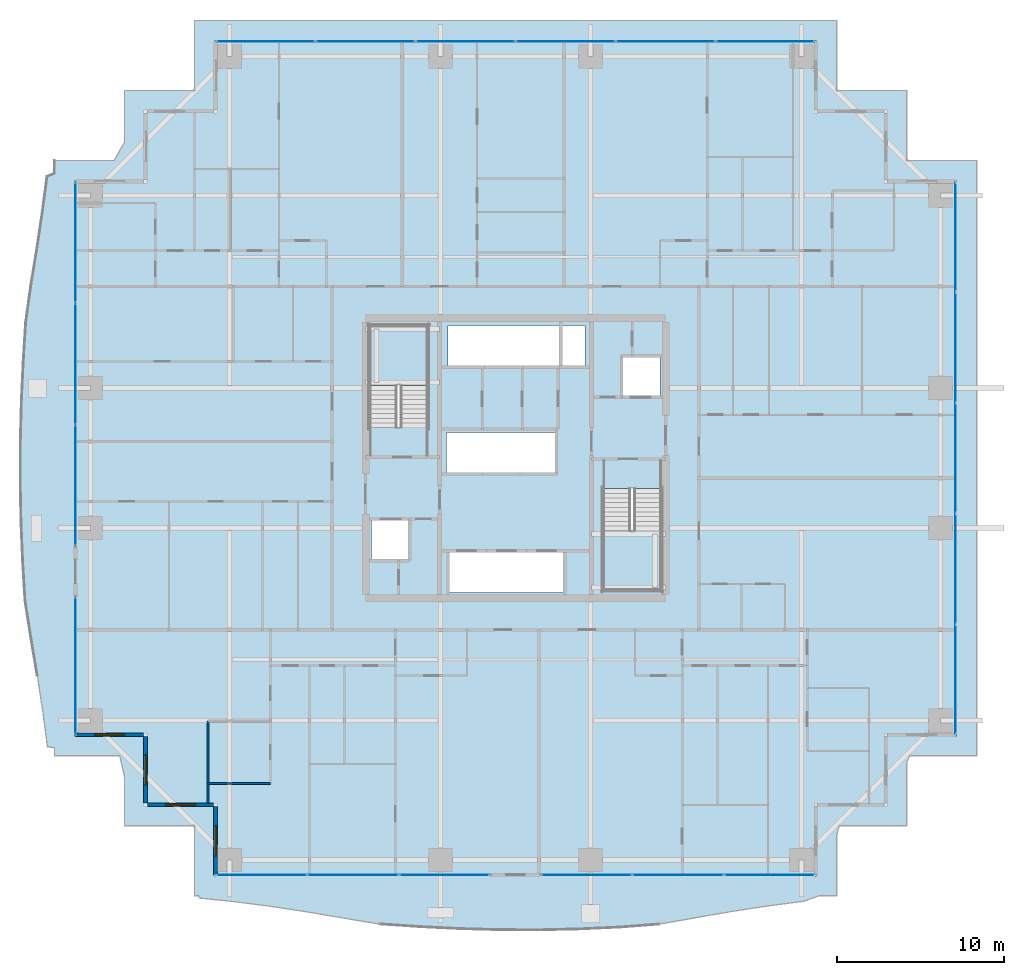
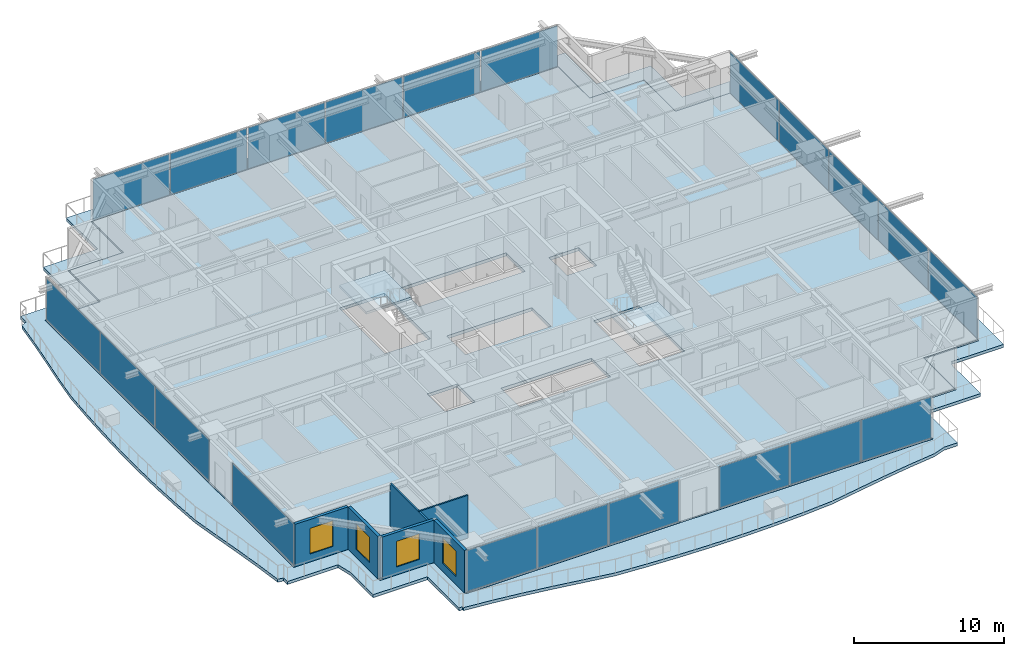
# One storey, part 25 of 39: 21 plates, 6 walls, 4 slabs, 4 windows, 4 openings, 8 elements without a shape of their own.
"""IFC4 building model written with IfcOpenShell, lengths in metres."""

from ifc_helpers import new_model, si_unit, direction, frame, frame_2d, origin, origin_2d, place, context, subcontext, project, spatial, polyline, rectangle, outline, extrude, source, transform, mapped, material, layer, layer_set, type_object, element, fill, aggregate, save


model = new_model("IFC4")

# Units and contexts
model_context = context("Model", 3, precision=1e-05, world=origin(), true_north=direction((0.0, 1.0)))
body_context = subcontext(model_context, "Body", "Model", "MODEL_VIEW")
ifc_project = project(units=[si_unit("LENGTHUNIT", "METRE"), si_unit("AREAUNIT", "SQUARE_METRE"), si_unit("VOLUMEUNIT", "CUBIC_METRE"), si_unit("PLANEANGLEUNIT", "RADIAN"), si_unit("MASSUNIT", "GRAM", prefix="KILO")], contexts=[model_context])

# Site, building, storey
site_placement = place(None, origin())
site = spatial("IfcSite", under=ifc_project, at=site_placement, CompositionType="ELEMENT")
building_placement = place(site_placement, origin())
building = spatial("IfcBuilding", under=site, at=building_placement, Name="Serunith Strait Residences", CompositionType="ELEMENT")
storey_placement = place(building_placement, frame((0.0, 0.0, 60.449951171875)))
storey = spatial("IfcBuildingStorey", under=building, at=storey_placement, Name="L14", CompositionType="ELEMENT", Elevation=60.449951171875)

# Slab
ifc_material_1 = material(Name="Concrete C50/60", Category="concrete")
ifc_layer_1 = layer(ifc_material_1, 0.239990234375, Name="Concrete C50/60")
ifc_layer_set_1 = layer_set([ifc_layer_1], Name="Concrete C50/60")
slab_type_1 = type_object("IfcSlabType", Name="SLB-BALC-240", PredefinedType="FLOOR", material=ifc_layer_set_1)
slab_1_placement = place(storey_placement, frame((0.0, 0.0, -0.2900390625)))
element("IfcSlab", 1, at=slab_1_placement, inside=storey, type_object=slab_type_1, Name="L14 Planted Vertical-Forest Balcony Slab", PredefinedType="FLOOR", context=body_context, shape_type="SweptSolid", body=[
    extrude(outline(polyline([(13.139892578125, 3.139892578125), (8.93994140625, 3.139892578125), (8.93994140625, 6.101806640625), (8.653564453125, 7.340087890625), (4.739990234375, 7.340087890625), (4.739990234375, 7.827392578125), (4.315673828125, 7.8955078125), (4.0361328125, 10.0244140625), (3.70751953125, 12.176025390625), (3.343017578125, 14.367919921875), (2.985107421875, 16.62060546875), (2.841796875, 18.976806640625), (2.7421875, 21.36181640625), (2.694580078125, 23.765380859375), (2.702392578125, 26.1748046875), (2.763671875, 28.5771484375), (2.872314453125, 30.960205078125), (3.017822265625, 33.3154296875), (3.332275390625, 35.586669921875), (3.692138671875, 37.786865234375), (4.017578125, 39.94677734375), (4.295654296875, 42.08203125), (4.739990234375, 42.28662109375), (4.739990234375, 43.06005859375), (8.321533203125, 43.06005859375), (8.93994140625, 44.1484375), (8.93994140625, 47.260009765625), (13.139892578125, 47.260009765625), (13.139892578125, 51.4599609375), (51.659912109375, 51.4599609375), (51.659912109375, 47.260009765625), (55.860107421875, 47.260009765625), (55.860107421875, 43.06005859375), (60.06005859375, 43.06005859375), (60.06005859375, 7.340087890625), (56.041259765625, 7.340087890625), (55.860107421875, 6.9423828125), (55.860107421875, 3.139892578125), (51.812744140625, 3.139892578125), (51.659912109375, 2.561279296875), (51.659912109375, -1.06005859375), (50.585693359375, -1.06005859375), (49.6953125, -1.381103515625), (47.572998046875, -1.654541015625), (45.430419921875, -1.984619140625), (43.25, -2.361083984375), (41.0107421875, -2.757080078125), (38.656494140625, -2.939697265625), (36.260986328125, -3.05078125), (33.843505859375, -3.104736328125), (31.4189453125, -3.096923828125), (29.003173828125, -3.029296875), (26.609375, -2.91015625), (24.24755859375, -2.751220703125), (21.994384765625, -2.376953125), (19.80419921875, -2.0048828125), (17.653564453125, -1.677001953125), (15.5244140625, -1.403564453125), (13.4033203125, -1.1845703125), (13.404052734375, -1.06005859375), (13.139892578125, -1.06005859375), (13.139892578125, 3.139892578125)]), holes=[polyline([(50.455078125, 0.14501953125), (50.455078125, 4.344970703125), (54.655029296875, 4.344970703125), (54.655029296875, 8.544921875), (58.85498046875, 8.544921875), (58.85498046875, 41.85498046875), (54.655029296875, 41.85498046875), (54.655029296875, 46.054931640625), (50.455078125, 46.054931640625), (50.455078125, 50.2548828125), (14.344970703125, 50.2548828125), (14.344970703125, 46.054931640625), (10.14501953125, 46.054931640625), (10.14501953125, 41.85498046875), (5.945068359375, 41.85498046875), (5.945068359375, 8.544921875), (10.14501953125, 8.544921875), (10.14501953125, 4.344970703125), (14.344970703125, 4.344970703125), (14.344970703125, 0.14501953125), (50.455078125, 0.14501953125)])]), origin(), (0.0, 0.0, 1.0), 0.239990234375),
])

# Stair, slab
stair_type_1 = type_object("IfcStairType", Name="STR-CORE-1", PredefinedType="HALF_TURN_STAIR", material=ifc_material_1)
stair_1_placement = place(storey_placement, origin())
stair_1 = element("IfcStair", 2, at=stair_1_placement, inside=storey, type_object=stair_type_1, Name="L14 Protected Escape Stair ST-1", PredefinedType="HALF_TURN_STAIR")
ifc_layer_2 = layer(ifc_material_1, 0.199951171875, Name="Concrete C50/60")
ifc_layer_set_2 = layer_set([ifc_layer_2], Name="Concrete C50/60")
slab_type_2 = type_object("IfcSlabType", Name="SLB-LAND-200", PredefinedType="LANDING", material=ifc_layer_set_2)
slab_2_placement = place(storey_placement, frame((0.0, 0.0, 1.675048828125)))
slab_2 = element("IfcSlab", 3, at=slab_2_placement, type_object=slab_type_2, Name="ST-1 landing 1", PredefinedType="LANDING", context=body_context, shape_type="SweptSolid", body=[
    extrude(outline(polyline([(27.14990234375, 29.550048828125), (27.14990234375, 33.14990234375), (23.64990234375, 33.14990234375), (23.64990234375, 29.550048828125), (27.14990234375, 29.550048828125)])), origin(), (0.0, 0.0, 1.0), 0.199951171875),
])
aggregate(stair_1, [slab_2])

stair_type_2 = type_object("IfcStairType", Name="STR-CORE-2", PredefinedType="HALF_TURN_STAIR", material=ifc_material_1)
stair_2_placement = place(storey_placement, origin())
stair_2 = element("IfcStair", 4, at=stair_2_placement, inside=storey, type_object=stair_type_2, Name="L14 Protected Escape Stair ST-2", PredefinedType="HALF_TURN_STAIR")
slab_3_placement = place(storey_placement, frame((0.0, 0.0, 1.675048828125)))
slab_3 = element("IfcSlab", 5, at=slab_3_placement, type_object=slab_type_2, Name="ST-2 landing 1", PredefinedType="LANDING", context=body_context, shape_type="SweptSolid", body=[
    extrude(outline(polyline([(37.64990234375, 20.85009765625), (37.64990234375, 17.25), (41.14990234375, 17.25), (41.14990234375, 20.85009765625), (37.64990234375, 20.85009765625)])), origin(), (0.0, 0.0, 1.0), 0.199951171875),
])
aggregate(stair_2, [slab_3])

# Slab
ifc_material_2 = material(Name="Concrete C60/75", Category="concrete")
ifc_layer_3 = layer(ifc_material_2, 0.260009765625, Name="Concrete C60/75")
ifc_layer_set_3 = layer_set([ifc_layer_3], Name="Concrete C60/75")
slab_type_3 = type_object("IfcSlabType", Name="SLB-TWR-260-Z1", PredefinedType="FLOOR", material=ifc_layer_set_3)
slab_4_placement = place(storey_placement, frame((0.0, 0.0, -0.260009765625)))
element("IfcSlab", 6, at=slab_4_placement, inside=storey, type_object=slab_type_3, Name="L14 Structural Floor Plate", PredefinedType="FLOOR", context=body_context, shape_type="SweptSolid", body=[
    extrude(outline(polyline([(14.39990234375, 4.39990234375), (10.199951171875, 4.39990234375), (10.199951171875, 8.60009765625), (6.0, 8.60009765625), (6.0, 41.800048828125), (10.199951171875, 41.800048828125), (10.199951171875, 46.0), (14.39990234375, 46.0), (14.39990234375, 50.199951171875), (50.39990234375, 50.199951171875), (50.39990234375, 46.0), (54.60009765625, 46.0), (54.60009765625, 41.800048828125), (58.800048828125, 41.800048828125), (58.800048828125, 8.60009765625), (54.60009765625, 8.60009765625), (54.60009765625, 4.39990234375), (50.39990234375, 4.39990234375), (50.39990234375, 0.199951171875), (14.39990234375, 0.199951171875), (14.39990234375, 4.39990234375)]), holes=[polyline([(41.14990234375, 17.25), (41.14990234375, 23.3701171875), (37.64990234375, 23.3701171875), (37.64990234375, 17.25), (41.14990234375, 17.25)]), polyline([(41.050048828125, 31.25), (38.75, 31.25), (38.75, 28.85009765625), (41.050048828125, 28.85009765625), (41.050048828125, 31.25)]), polyline([(36.550048828125, 33.14990234375), (28.35009765625, 33.14990234375), (28.35009765625, 30.64990234375), (36.550048828125, 30.64990234375), (36.550048828125, 33.14990234375)]), polyline([(28.35009765625, 19.64990234375), (28.35009765625, 17.14990234375), (35.35009765625, 17.14990234375), (35.35009765625, 19.64990234375), (28.35009765625, 19.64990234375)]), polyline([(34.85009765625, 26.75), (28.25, 26.75), (28.25, 24.25), (34.85009765625, 24.25), (34.85009765625, 26.75)]), polyline([(23.64990234375, 33.14990234375), (23.64990234375, 27.030029296875), (27.14990234375, 27.030029296875), (27.14990234375, 33.14990234375), (23.64990234375, 33.14990234375)]), polyline([(26.050048828125, 21.550048828125), (23.75, 21.550048828125), (23.75, 19.14990234375), (26.050048828125, 19.14990234375), (26.050048828125, 21.550048828125)])]), origin(), (0.0, 0.0, 1.0), 0.260009765625),
])

# Curtain wall, plates
ifc_material_3 = material(Name="Pale-Champagne Anodised Aluminium", Category="aluminium")
ifc_layer_4 = layer(ifc_material_3, 0.199951171875, Name="Pale-Champagne Anodised Aluminium")
ifc_layer_set_4 = layer_set([ifc_layer_4], Name="Pale-Champagne Anodised Aluminium")
curtain_wall_type = type_object("IfcCurtainWallType", Name="CW-SYS1", PredefinedType="NOTDEFINED", material=ifc_layer_set_4)
curtain_wall_1_placement = place(storey_placement, origin())
curtain_wall_1 = element("IfcCurtainWall", 7, at=curtain_wall_1_placement, inside=storey, type_object=curtain_wall_type, Name="L14 N Unitised Fritted Curtain Wall", PredefinedType="NOTDEFINED")
ifc_material_4 = material(Name="Ceramic-Fritted Low-E Double Glazing 28mm", Category="glass")
ifc_layer_5 = layer(ifc_material_4, 0.028076171875, Name="Ceramic-Fritted Low-E Double Glazing 28mm")
ifc_layer_set_5 = layer_set([ifc_layer_5], Name="Ceramic-Fritted Low-E Double Glazing 28mm")
plate_type = type_object("IfcPlateType", Name="CW-SYS1-PNL", PredefinedType="CURTAIN_PANEL", material=ifc_layer_set_5)
shared_shape_1 = source(origin(), body_context, "Body", "SweptSolid", [
    extrude(rectangle(XDim=5.89501953125, YDim=0.028076171875, at=origin_2d()), origin(), (0.0, 0.0, 1.0), 3.35498046875),
])
plate_1_placement = place(storey_placement, frame((47.382568359375, 50.199951171875, 0.06005859375), z_axis=(0.0, 0.0, 1.0), x_axis=(-1.0, 0.0, 0.0)))
plate_1 = element("IfcPlate", 8, at=plate_1_placement, type_object=plate_type, Name="CW-1 panel 1.1", PredefinedType="CURTAIN_PANEL", context=body_context, shape_type="MappedRepresentation", body=[
    mapped(shared_shape_1, transform((0.0, 0.0, 0.0), scale=1.0)),
])
plate_2_placement = place(storey_placement, frame((17.41748046875, 50.199951171875, 0.06005859375), z_axis=(0.0, 0.0, 1.0), x_axis=(-1.0, 0.0, 0.0)))
plate_2 = element("IfcPlate", 9, at=plate_2_placement, type_object=plate_type, Name="CW-1 panel 6.1", PredefinedType="CURTAIN_PANEL", context=body_context, shape_type="MappedRepresentation", body=[
    mapped(shared_shape_1, transform((0.0, 0.0, 0.0), scale=1.0)),
])
shared_shape_2 = source(origin(), body_context, "Body", "SweptSolid", [
    extrude(rectangle(XDim=5.929931640625, YDim=0.028076171875, at=origin_2d()), origin(), (0.0, 0.0, 1.0), 3.35498046875),
])
plate_3_placement = place(storey_placement, frame((41.39990234375, 50.199951171875, 0.06005859375), z_axis=(0.0, 0.0, 1.0), x_axis=(-1.0, 0.0, 0.0)))
plate_3 = element("IfcPlate", 10, at=plate_3_placement, type_object=plate_type, Name="CW-1 panel 2.1", PredefinedType="CURTAIN_PANEL", context=body_context, shape_type="MappedRepresentation", body=[
    mapped(shared_shape_2, transform((0.0, 0.0, 0.0), scale=1.0)),
])
plate_4_placement = place(storey_placement, frame((35.39990234375, 50.199951171875, 0.06005859375), z_axis=(0.0, 0.0, 1.0), x_axis=(-1.0, 0.0, 0.0)))
plate_4 = element("IfcPlate", 11, at=plate_4_placement, type_object=plate_type, Name="CW-1 panel 3.1", PredefinedType="CURTAIN_PANEL", context=body_context, shape_type="MappedRepresentation", body=[
    mapped(shared_shape_2, transform((0.0, 0.0, 0.0), scale=1.0)),
])
plate_5_placement = place(storey_placement, frame((29.39990234375, 50.199951171875, 0.06005859375), z_axis=(0.0, 0.0, 1.0), x_axis=(-1.0, 0.0, 0.0)))
plate_5 = element("IfcPlate", 12, at=plate_5_placement, type_object=plate_type, Name="CW-1 panel 4.1", PredefinedType="CURTAIN_PANEL", context=body_context, shape_type="MappedRepresentation", body=[
    mapped(shared_shape_2, transform((0.0, 0.0, 0.0), scale=1.0)),
])
plate_6_placement = place(storey_placement, frame((23.39990234375, 50.199951171875, 0.06005859375), z_axis=(0.0, 0.0, 1.0), x_axis=(-1.0, 0.0, 0.0)))
plate_6 = element("IfcPlate", 13, at=plate_6_placement, type_object=plate_type, Name="CW-1 panel 5.1", PredefinedType="CURTAIN_PANEL", context=body_context, shape_type="MappedRepresentation", body=[
    mapped(shared_shape_2, transform((0.0, 0.0, 0.0), scale=1.0)),
])
aggregate(curtain_wall_1, [plate_1, plate_3, plate_4, plate_5, plate_6, plate_2])

curtain_wall_2_placement = place(storey_placement, origin())
curtain_wall_2 = element("IfcCurtainWall", 14, at=curtain_wall_2_placement, inside=storey, type_object=curtain_wall_type, Name="L14 S Unitised Fritted Curtain Wall", PredefinedType="NOTDEFINED")
shared_shape_3 = source(origin(), body_context, "Body", "SweptSolid", [
    extrude(rectangle(XDim=5.39501953125, YDim=0.028076171875, at=origin_2d()), origin(), (0.0, 0.0, 1.0), 3.35498046875),
])
plate_7_placement = place(storey_placement, frame((17.16748046875, 0.199951171875, 0.06005859375), z_axis=(0.0, 0.0, 1.0), x_axis=(1.0, 0.0, 0.0)))
plate_7 = element("IfcPlate", 15, at=plate_7_placement, type_object=plate_type, Name="CW-1 panel 1.1", PredefinedType="CURTAIN_PANEL", context=body_context, shape_type="MappedRepresentation", body=[
    mapped(shared_shape_3, transform((0.0, 0.0, 0.0), scale=1.0)),
])
plate_8_placement = place(storey_placement, frame((28.132568359375, 0.199951171875, 0.06005859375), z_axis=(0.0, 0.0, 1.0), x_axis=(1.0, 0.0, 0.0)))
plate_8 = element("IfcPlate", 16, at=plate_8_placement, type_object=plate_type, Name="CW-1 panel 3.1", PredefinedType="CURTAIN_PANEL", context=body_context, shape_type="MappedRepresentation", body=[
    mapped(shared_shape_3, transform((0.0, 0.0, 0.0), scale=1.0)),
])

curtain_wall_3_placement = place(storey_placement, origin())
curtain_wall_3 = element("IfcCurtainWall", 17, at=curtain_wall_3_placement, inside=storey, type_object=curtain_wall_type, Name="L14 S Unitised Fritted Curtain Wall", PredefinedType="NOTDEFINED")
plate_9_placement = place(storey_placement, frame((36.66748046875, 0.199951171875, 0.06005859375), z_axis=(0.0, 0.0, 1.0), x_axis=(1.0, 0.0, 0.0)))
plate_9 = element("IfcPlate", 18, at=plate_9_placement, type_object=plate_type, Name="CW-1 panel 1.1", PredefinedType="CURTAIN_PANEL", context=body_context, shape_type="MappedRepresentation", body=[
    mapped(shared_shape_3, transform((0.0, 0.0, 0.0), scale=1.0)),
])
plate_10_placement = place(storey_placement, frame((47.632568359375, 0.199951171875, 0.06005859375), z_axis=(0.0, 0.0, 1.0), x_axis=(1.0, 0.0, 0.0)))
plate_10 = element("IfcPlate", 19, at=plate_10_placement, type_object=plate_type, Name="CW-1 panel 3.1", PredefinedType="CURTAIN_PANEL", context=body_context, shape_type="MappedRepresentation", body=[
    mapped(shared_shape_3, transform((0.0, 0.0, 0.0), scale=1.0)),
])

# Plate
shared_shape_4 = source(origin(), body_context, "Body", "SweptSolid", [
    extrude(rectangle(XDim=5.429931640625, YDim=0.028076171875, at=origin_2d()), origin(), (0.0, 0.0, 1.0), 3.35498046875),
])
plate_11_placement = place(storey_placement, frame((22.64990234375, 0.199951171875, 0.06005859375), z_axis=(0.0, 0.0, 1.0), x_axis=(1.0, 0.0, 0.0)))
plate_11 = element("IfcPlate", 20, at=plate_11_placement, type_object=plate_type, Name="CW-1 panel 2.1", PredefinedType="CURTAIN_PANEL", context=body_context, shape_type="MappedRepresentation", body=[
    mapped(shared_shape_4, transform((0.0, 0.0, 0.0), scale=1.0)),
])

aggregate(curtain_wall_2, [plate_7, plate_11, plate_8])

plate_12_placement = place(storey_placement, frame((42.14990234375, 0.199951171875, 0.06005859375), z_axis=(0.0, 0.0, 1.0), x_axis=(1.0, 0.0, 0.0)))
plate_12 = element("IfcPlate", 21, at=plate_12_placement, type_object=plate_type, Name="CW-1 panel 2.1", PredefinedType="CURTAIN_PANEL", context=body_context, shape_type="MappedRepresentation", body=[
    mapped(shared_shape_4, transform((0.0, 0.0, 0.0), scale=1.0)),
])

aggregate(curtain_wall_3, [plate_9, plate_12, plate_10])

# Curtain wall, plates
curtain_wall_4_placement = place(storey_placement, origin())
curtain_wall_4 = element("IfcCurtainWall", 22, at=curtain_wall_4_placement, inside=storey, type_object=curtain_wall_type, Name="L14 E Unitised Fritted Curtain Wall", PredefinedType="NOTDEFINED")
shared_shape_5 = source(origin(), body_context, "Body", "SweptSolid", [
    extrude(rectangle(XDim=6.534912109375, YDim=0.028076171875, at=origin_2d()), origin(), (0.0, 0.0, 1.0), 3.35498046875),
])
plate_13_placement = place(storey_placement, frame((58.800048828125, 11.9375, 0.06005859375), z_axis=(0.0, 0.0, 1.0), x_axis=(0.0, 1.0, 0.0)))
plate_13 = element("IfcPlate", 23, at=plate_13_placement, type_object=plate_type, Name="CW-1 panel 1.1", PredefinedType="CURTAIN_PANEL", context=body_context, shape_type="MappedRepresentation", body=[
    mapped(shared_shape_5, transform((0.0, 0.0, 0.0), scale=1.0)),
])
plate_14_placement = place(storey_placement, frame((58.800048828125, 38.46240234375, 0.06005859375), z_axis=(0.0, 0.0, 1.0), x_axis=(0.0, 1.0, 0.0)))
plate_14 = element("IfcPlate", 24, at=plate_14_placement, type_object=plate_type, Name="CW-1 panel 5.1", PredefinedType="CURTAIN_PANEL", context=body_context, shape_type="MappedRepresentation", body=[
    mapped(shared_shape_5, transform((0.0, 0.0, 0.0), scale=1.0)),
])
shared_shape_6 = source(origin(), body_context, "Body", "SweptSolid", [
    extrude(rectangle(XDim=6.570068359375, YDim=0.028076171875, at=origin_2d()), origin(), (0.0, 0.0, 1.0), 3.35498046875),
])
plate_15_placement = place(storey_placement, frame((58.800048828125, 18.56005859375, 0.06005859375), z_axis=(0.0, 0.0, 1.0), x_axis=(0.0, 1.0, 0.0)))
plate_15 = element("IfcPlate", 25, at=plate_15_placement, type_object=plate_type, Name="CW-1 panel 2.1", PredefinedType="CURTAIN_PANEL", context=body_context, shape_type="MappedRepresentation", body=[
    mapped(shared_shape_6, transform((0.0, 0.0, 0.0), scale=1.0)),
])
plate_16_placement = place(storey_placement, frame((58.800048828125, 25.199951171875, 0.06005859375), z_axis=(0.0, 0.0, 1.0), x_axis=(0.0, 1.0, 0.0)))
plate_16 = element("IfcPlate", 26, at=plate_16_placement, type_object=plate_type, Name="CW-1 panel 3.1", PredefinedType="CURTAIN_PANEL", context=body_context, shape_type="MappedRepresentation", body=[
    mapped(shared_shape_6, transform((0.0, 0.0, 0.0), scale=1.0)),
])
plate_17_placement = place(storey_placement, frame((58.800048828125, 31.840087890625, 0.06005859375), z_axis=(0.0, 0.0, 1.0), x_axis=(0.0, 1.0, 0.0)))
plate_17 = element("IfcPlate", 27, at=plate_17_placement, type_object=plate_type, Name="CW-1 panel 4.1", PredefinedType="CURTAIN_PANEL", context=body_context, shape_type="MappedRepresentation", body=[
    mapped(shared_shape_6, transform((0.0, 0.0, 0.0), scale=1.0)),
])
aggregate(curtain_wall_4, [plate_13, plate_15, plate_16, plate_17, plate_14])

# Curtain wall, plate
curtain_wall_5_placement = place(storey_placement, origin())
curtain_wall_5 = element("IfcCurtainWall", 28, at=curtain_wall_5_placement, inside=storey, type_object=curtain_wall_type, Name="L14 W Unitised Fritted Curtain Wall", PredefinedType="NOTDEFINED")
shared_shape_7 = source(origin(), body_context, "Body", "SweptSolid", [
    extrude(rectangle(XDim=8.159912109375, YDim=0.028076171875, at=origin_2d()), origin(), (0.0, 0.0, 1.0), 3.35498046875),
])
plate_18_placement = place(storey_placement, frame((6.0, 12.75, 0.06005859375), z_axis=(0.0, 0.0, 1.0), x_axis=(0.0, -1.0, 0.0)))
plate_18 = element("IfcPlate", 29, at=plate_18_placement, type_object=plate_type, Name="CW-1 panel 1.1", PredefinedType="CURTAIN_PANEL", context=body_context, shape_type="MappedRepresentation", body=[
    mapped(shared_shape_7, transform((0.0, 0.0, 0.0), scale=1.0)),
])
aggregate(curtain_wall_5, [plate_18])

# Curtain wall, plates
curtain_wall_6_placement = place(storey_placement, origin())
curtain_wall_6 = element("IfcCurtainWall", 30, at=curtain_wall_6_placement, inside=storey, type_object=curtain_wall_type, Name="L14 W Unitised Fritted Curtain Wall", PredefinedType="NOTDEFINED")
shared_shape_8 = source(origin(), body_context, "Body", "SweptSolid", [
    extrude(rectangle(XDim=7.195068359375, YDim=0.028076171875, at=origin_2d()), origin(), (0.0, 0.0, 1.0), 3.35498046875),
])
plate_19_placement = place(storey_placement, frame((6.0, 38.132568359375, 0.06005859375), z_axis=(0.0, 0.0, 1.0), x_axis=(0.0, -1.0, 0.0)))
plate_19 = element("IfcPlate", 31, at=plate_19_placement, type_object=plate_type, Name="CW-1 panel 1.1", PredefinedType="CURTAIN_PANEL", context=body_context, shape_type="MappedRepresentation", body=[
    mapped(shared_shape_8, transform((0.0, 0.0, 0.0), scale=1.0)),
])
plate_20_placement = place(storey_placement, frame((6.0, 23.5673828125, 0.06005859375), z_axis=(0.0, 0.0, 1.0), x_axis=(0.0, -1.0, 0.0)))
plate_20 = element("IfcPlate", 32, at=plate_20_placement, type_object=plate_type, Name="CW-1 panel 3.1", PredefinedType="CURTAIN_PANEL", context=body_context, shape_type="MappedRepresentation", body=[
    mapped(shared_shape_8, transform((0.0, 0.0, 0.0), scale=1.0)),
])
shared_shape_9 = source(origin(), body_context, "Body", "SweptSolid", [
    extrude(rectangle(XDim=7.22998046875, YDim=0.028076171875, at=origin_2d()), origin(), (0.0, 0.0, 1.0), 3.35498046875),
])
plate_21_placement = place(storey_placement, frame((6.0, 30.85009765625, 0.06005859375), z_axis=(0.0, 0.0, 1.0), x_axis=(0.0, -1.0, 0.0)))
plate_21 = element("IfcPlate", 33, at=plate_21_placement, type_object=plate_type, Name="CW-1 panel 2.1", PredefinedType="CURTAIN_PANEL", context=body_context, shape_type="MappedRepresentation", body=[
    mapped(shared_shape_9, transform((0.0, 0.0, 0.0), scale=1.0)),
])
aggregate(curtain_wall_6, [plate_19, plate_21, plate_20])

# Wall, opening, window
ifc_material_5 = material(Name="Pale-Champagne Aluminium Insulated Panel", Category="aluminium")
ifc_layer_6 = layer(ifc_material_5, 0.219970703125, Name="Pale-Champagne Aluminium Insulated Panel")
ifc_layer_set_6 = layer_set([ifc_layer_6], Name="Pale-Champagne Aluminium Insulated Panel")
wall_type_1 = type_object("IfcWallType", Name="EW-ALUM-220", PredefinedType="ELEMENTEDWALL", material=ifc_layer_set_6)
wall_1_placement = place(storey_placement, frame((6.0, 8.60009765625, 0.0), z_axis=(0.0, 0.0, 1.0), x_axis=(1.0, 0.0, 0.0)))
wall_1 = element("IfcWall", 34, at=wall_1_placement, inside=storey, type_object=wall_type_1, Name="L14 Girih Serrated Corner Wall 17", PredefinedType="ELEMENTEDWALL", context=body_context, shape_type="SweptSolid", body=[
    extrude(rectangle(XDim=4.090087890625, YDim=0.219970703125, at=frame_2d((2.044921875, 0.0))), origin(), (0.0, 0.0, 1.0), 3.47509765625),
])
opening_1_placement = place(wall_1_placement, frame((1.14501953125, 0.0, 0.64990234375)))
opening_1 = element("IfcOpeningElement", 35, at=opening_1_placement, cuts=wall_1, Name="Opening W-01", PredefinedType="OPENING", context=body_context, shape_type="SweptSolid", body=[
    extrude(rectangle(XDim=1.800048828125, YDim=2.10009765625, at=frame_2d((0.89990234375, 1.050048828125))), frame((0.0, 0.1201171875, 0.0), z_axis=(0.0, -1.0, 0.0), x_axis=(1.0, 0.0, 0.0)), (0.0, 0.0, 1.0), 0.239990234375),
])
ifc_material_6 = material(Name="Ceramic-Fritted Operable Aluminium Window Glass", Category="aluminium")
window_type = type_object("IfcWindowType", Name="WIN-C1", PartitioningType="DOUBLE_PANEL_VERTICAL", PredefinedType="WINDOW", material=ifc_material_6)
shared_shape_10 = source(origin(), body_context, "Body", "SweptSolid", [
    extrude(rectangle(XDim=1.800048828125, YDim=2.10009765625, at=frame_2d((0.89990234375, 1.050048828125))), frame((0.0, 0.030029296875, 0.0), z_axis=(0.0, -1.0, 0.0), x_axis=(1.0, 0.0, 0.0)), (0.0, 0.0, 1.0), 0.06005859375),
])
window_1_placement = place(opening_1_placement, origin())
window_1 = element("IfcWindow", 36, at=window_1_placement, inside=storey, type_object=window_type, Name="L14 Corner Operable Fritted Window 17", OverallHeight=2.10009765625, OverallWidth=1.800048828125, PartitioningType="SINGLE_PANEL", PredefinedType="WINDOW", context=body_context, shape_type="MappedRepresentation", body=[
    mapped(shared_shape_10, transform((0.0, 0.0, 0.0), scale=1.0)),
])
fill(opening_1, window_1)

wall_2_placement = place(storey_placement, frame((10.199951171875, 8.489990234375, 0.0), z_axis=(0.0, 0.0, 1.0), x_axis=(0.0, -1.0, 0.0)))
wall_2 = element("IfcWall", 37, at=wall_2_placement, inside=storey, type_object=wall_type_1, Name="L14 Girih Serrated Corner Wall 18", PredefinedType="ELEMENTEDWALL", context=body_context, shape_type="SweptSolid", body=[
    extrude(rectangle(XDim=3.97998046875, YDim=0.219970703125, at=frame_2d((1.989990234375, 0.0))), origin(), (0.0, 0.0, 1.0), 3.47509765625),
])
opening_2_placement = place(wall_2_placement, frame((1.090087890625, 0.0, 0.64990234375)))
opening_2 = element("IfcOpeningElement", 38, at=opening_2_placement, cuts=wall_2, Name="Opening W-01", PredefinedType="OPENING", context=body_context, shape_type="SweptSolid", body=[
    extrude(rectangle(XDim=1.800048828125, YDim=2.10009765625, at=frame_2d((0.89990234375, 1.050048828125))), frame((0.0, 0.1201171875, 0.0), z_axis=(0.0, -1.0, 0.0), x_axis=(1.0, 0.0, 0.0)), (0.0, 0.0, 1.0), 0.239990234375),
])
window_2_placement = place(opening_2_placement, origin())
window_2 = element("IfcWindow", 39, at=window_2_placement, inside=storey, type_object=window_type, Name="L14 Corner Operable Fritted Window 18", OverallHeight=2.10009765625, OverallWidth=1.800048828125, PartitioningType="SINGLE_PANEL", PredefinedType="WINDOW", context=body_context, shape_type="MappedRepresentation", body=[
    mapped(shared_shape_10, transform((0.0, 0.0, 0.0), scale=1.0)),
])
fill(opening_2, window_2)

wall_3_placement = place(storey_placement, frame((10.31005859375, 4.39990234375, 0.0), z_axis=(0.0, 0.0, 1.0), x_axis=(1.0, 0.0, 0.0)))
wall_3 = element("IfcWall", 40, at=wall_3_placement, inside=storey, type_object=wall_type_1, Name="L14 Girih Serrated Corner Wall 19", PredefinedType="ELEMENTEDWALL", context=body_context, shape_type="SweptSolid", body=[
    extrude(rectangle(XDim=3.97998046875, YDim=0.219970703125, at=frame_2d((1.989990234375, 0.0))), origin(), (0.0, 0.0, 1.0), 3.47509765625),
])
opening_3_placement = place(wall_3_placement, frame((1.090087890625, 0.0, 0.64990234375)))
opening_3 = element("IfcOpeningElement", 41, at=opening_3_placement, cuts=wall_3, Name="Opening W-01", PredefinedType="OPENING", context=body_context, shape_type="SweptSolid", body=[
    extrude(rectangle(XDim=1.800048828125, YDim=2.10009765625, at=frame_2d((0.89990234375, 1.050048828125))), frame((0.0, 0.1201171875, 0.0), z_axis=(0.0, -1.0, 0.0), x_axis=(1.0, 0.0, 0.0)), (0.0, 0.0, 1.0), 0.239990234375),
])
window_3_placement = place(opening_3_placement, origin())
window_3 = element("IfcWindow", 42, at=window_3_placement, inside=storey, type_object=window_type, Name="L14 Corner Operable Fritted Window 19", OverallHeight=2.10009765625, OverallWidth=1.800048828125, PartitioningType="SINGLE_PANEL", PredefinedType="WINDOW", context=body_context, shape_type="MappedRepresentation", body=[
    mapped(shared_shape_10, transform((0.0, 0.0, 0.0), scale=1.0)),
])
fill(opening_3, window_3)

wall_4_placement = place(storey_placement, frame((14.39990234375, 4.2900390625, 0.0), z_axis=(0.0, 0.0, 1.0), x_axis=(0.0, -1.0, 0.0)))
wall_4 = element("IfcWall", 43, at=wall_4_placement, inside=storey, type_object=wall_type_1, Name="L14 Girih Serrated Corner Wall 20", PredefinedType="ELEMENTEDWALL", context=body_context, shape_type="SweptSolid", body=[
    extrude(rectangle(XDim=4.090087890625, YDim=0.219970703125, at=frame_2d((2.044921875, 0.0))), origin(), (0.0, 0.0, 1.0), 3.47509765625),
])
opening_4_placement = place(wall_4_placement, frame((1.14501953125, 0.0, 0.64990234375)))
opening_4 = element("IfcOpeningElement", 44, at=opening_4_placement, cuts=wall_4, Name="Opening W-01", PredefinedType="OPENING", context=body_context, shape_type="SweptSolid", body=[
    extrude(rectangle(XDim=1.800048828125, YDim=2.10009765625, at=frame_2d((0.89990234375, 1.050048828125))), frame((0.0, 0.1201171875, 0.0), z_axis=(0.0, -1.0, 0.0), x_axis=(1.0, 0.0, 0.0)), (0.0, 0.0, 1.0), 0.239990234375),
])
window_4_placement = place(opening_4_placement, origin())
window_4 = element("IfcWindow", 45, at=window_4_placement, inside=storey, type_object=window_type, Name="L14 Corner Operable Fritted Window 20", OverallHeight=2.10009765625, OverallWidth=1.800048828125, PartitioningType="SINGLE_PANEL", PredefinedType="WINDOW", context=body_context, shape_type="MappedRepresentation", body=[
    mapped(shared_shape_10, transform((0.0, 0.0, 0.0), scale=1.0)),
])
fill(opening_4, window_4)

# Walls
ifc_material_7 = material(Name="Lightweight steel-stud gypsum partition", Category="steel")
ifc_layer_7 = layer(ifc_material_7, 0.1201171875, Name="Lightweight steel-stud gypsum partition")
ifc_layer_set_7 = layer_set([ifc_layer_7], Name="Lightweight steel-stud gypsum partition")
wall_type_2 = type_object("IfcWallType", Name="IW-PART-120", PredefinedType="PARTITIONING", material=ifc_layer_set_7)
wall_5_placement = place(storey_placement, frame((13.949951171875, 5.693115234375, 0.0), z_axis=(0.0, 0.0, 1.0), x_axis=(1.0, 0.0, 0.0)))
element("IfcWall", 46, at=wall_5_placement, inside=storey, type_object=wall_type_2, Name="L14 Partition Wall 041", PredefinedType="PARTITIONING", context=body_context, shape_type="SweptSolid", body=[
    extrude(rectangle(XDim=3.75, YDim=0.1201171875, at=frame_2d((1.875, 0.0))), origin(), (0.0, 0.0, 1.0), 3.489990234375),
])
wall_6_placement = place(storey_placement, frame((13.949951171875, 4.4951171875, 0.0), z_axis=(0.0, 0.0, 1.0), x_axis=(0.0, 1.0, 0.0)))
element("IfcWall", 47, at=wall_6_placement, inside=storey, type_object=wall_type_2, Name="L14 Partition Wall 042", PredefinedType="PARTITIONING", context=body_context, shape_type="SweptSolid", body=[
    extrude(rectangle(XDim=4.930908203125, YDim=0.1201171875, at=frame_2d((2.46533203125, 0.0))), origin(), (0.0, 0.0, 1.0), 3.489990234375),
])

save(model, "model.ifc")
